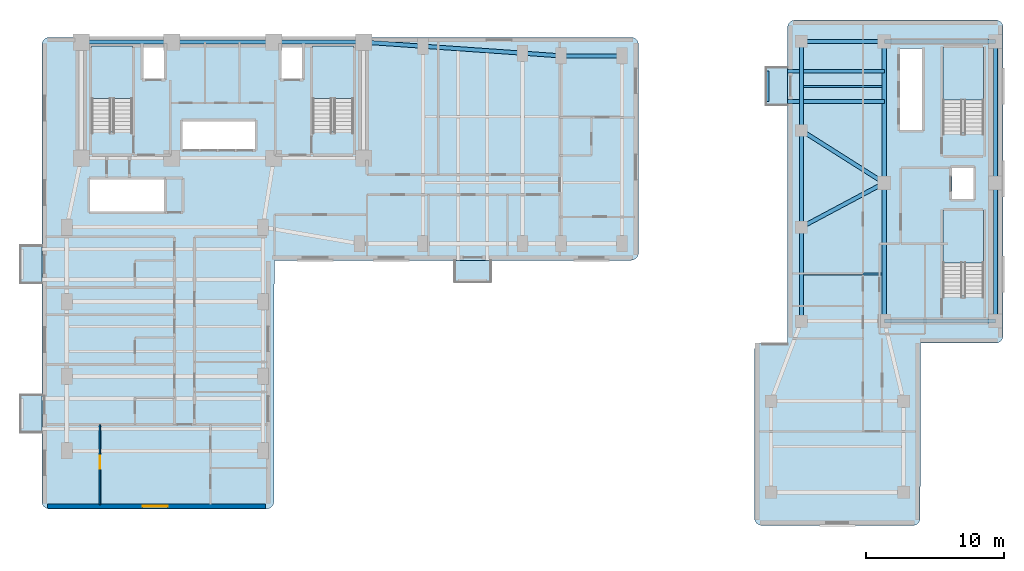
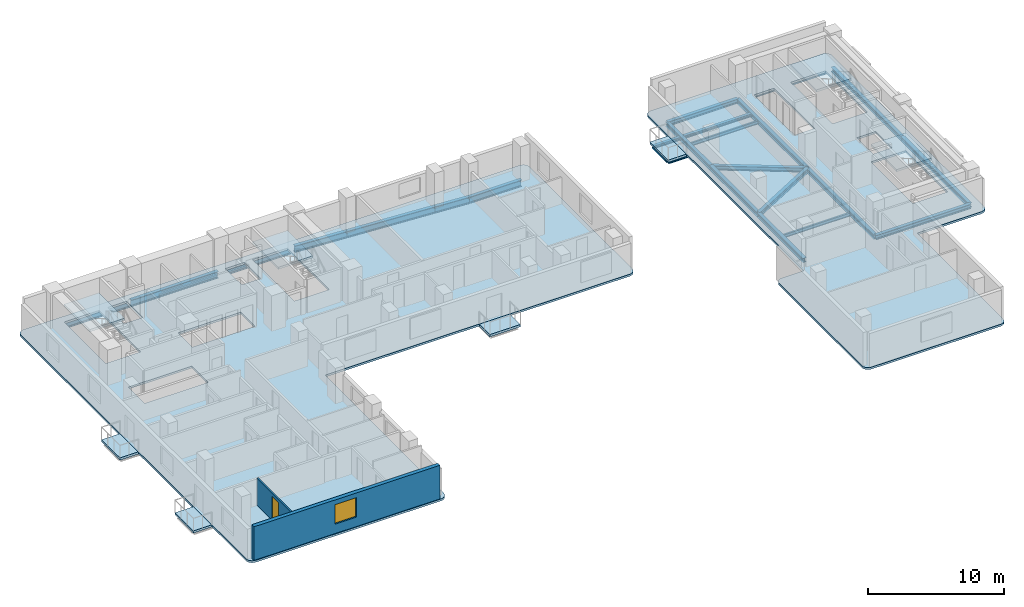
# One storey, part 2 of 11: 24 beams, 10 slabs, 2 walls, 1 door, 1 window, 2 openings, 4 elements without a shape of their own.
"""IFC4 building model written with IfcOpenShell, lengths in metres."""

from ifc_helpers import new_model, si_unit, direction, frame, frame_2d, origin, origin_2d, place, context, subcontext, project, spatial, polyline, rectangle, i_section, outline, extrude, material, layer, layer_set, material_profile, profile_set, type_object, element, fill, aggregate, save


model = new_model("IFC4")

# Units and contexts
model_context = context("Model", 3, precision=1e-05, world=origin(), true_north=direction((0.0, 1.0)))
body_context = subcontext(model_context, "Body", "Model", "MODEL_VIEW")
ifc_project = project(units=[si_unit("LENGTHUNIT", "METRE"), si_unit("AREAUNIT", "SQUARE_METRE"), si_unit("VOLUMEUNIT", "CUBIC_METRE"), si_unit("PLANEANGLEUNIT", "RADIAN"), si_unit("MASSUNIT", "GRAM", prefix="KILO")], contexts=[model_context])

# Site, building, storey
site_placement = place(None, origin())
site = spatial("IfcSite", under=ifc_project, at=site_placement, CompositionType="ELEMENT")
building_placement = place(site_placement, origin())
building = spatial("IfcBuilding", under=site, at=building_placement, Name="Kuzgunbayir Cultural Tower", CompositionType="ELEMENT")
storey_placement = place(building_placement, frame((0.0, 0.0, 83.39990234375)))
storey = spatial("IfcBuildingStorey", under=building, at=storey_placement, Name="L23", CompositionType="ELEMENT", Elevation=83.39990234375)

# Beams
ifc_material_1 = material(Name="Steel S355J2", Category="steel")
ifc_material_profile_1 = material_profile(ifc_material_1, i_section(OverallWidth=0.260009765625, OverallDepth=0.260009765625, WebThickness=0.010009765625, FlangeThickness=0.017578125, FilletRadius=0.02392578125, at=origin_2d()), Name="HEB 260")
ifc_profile_set_1 = profile_set([ifc_material_profile_1], Name="Steel S355J2")
beam_type_1 = type_object("IfcBeamType", Name="BM-BAL-HEB260", PredefinedType="BEAM", material=ifc_profile_set_1)
for number, where, z_axis, x_axis, name in (
    (1, (56.159912109375, 37.89990234375, -0.329833984375), (1.0, 0.0, 0.0), (0.0, 1.0, 0.0), "L23 Companion Balcony Outrigger BAL-L23-T2W3.1"),
    (2, (56.159912109375, 40.10009765625, -0.329833984375), (1.0, 0.0, 0.0), (0.0, 1.0, 0.0), "L23 Companion Balcony Outrigger BAL-L23-T2W3.2"),
):
    element("IfcBeam", number, at=place(storey_placement, frame(where, z_axis=z_axis, x_axis=x_axis)), inside=storey, type_object=beam_type_1, Name=name, PredefinedType="BEAM", context=body_context, shape_type="SweptSolid", body=[
        extrude(i_section(OverallWidth=0.260009765625, OverallDepth=0.260009765625, WebThickness=0.010009765625, FlangeThickness=0.017578125, FilletRadius=0.02392578125, at=origin_2d()), origin(), (0.0, 0.0, 1.0), 8.440185546875),
    ])
ifc_material_profile_2 = material_profile(ifc_material_1, i_section(OverallWidth=0.199951171875, OverallDepth=0.199951171875, WebThickness=0.009033203125, FlangeThickness=0.014892578125, FilletRadius=0.01806640625, at=origin_2d()), Name="HEB 200")
ifc_profile_set_2 = profile_set([ifc_material_profile_2], Name="Steel S355J2")
beam_type_2 = type_object("IfcBeamType", Name="BM-CAN-HEB200", PredefinedType="BEAM", material=ifc_profile_set_2)
beam_1_placement = place(storey_placement, frame((56.159912109375, 37.89990234375, -0.2998046875), z_axis=(0.0, 1.0, 0.0), x_axis=(-1.0, 0.0, 0.0)))
element("IfcBeam", 3, at=beam_1_placement, inside=storey, type_object=beam_type_2, Name="L23 Companion Balcony Header BAL-L23-T2W3", PredefinedType="BEAM", context=body_context, shape_type="SweptSolid", body=[
    extrude(i_section(OverallWidth=0.199951171875, OverallDepth=0.199951171875, WebThickness=0.009033203125, FlangeThickness=0.014892578125, FilletRadius=0.01806640625, at=origin_2d()), origin(), (0.0, 0.0, 1.0), 2.2001953125),
])
ifc_material_profile_3 = material_profile(ifc_material_1, i_section(OverallWidth=0.300048828125, OverallDepth=0.39990234375, WebThickness=0.013427734375, FlangeThickness=0.02392578125, FilletRadius=0.027099609375, at=origin_2d()), Name="HEB 400")
ifc_profile_set_3 = profile_set([ifc_material_profile_3], Name="Steel S355J2")
beam_type_3 = type_object("IfcBeamType", Name="BM-EXT-HEB400", PredefinedType="BEAM", material=ifc_profile_set_3)
beam_2_placement = place(storey_placement, frame((58.60009765625, 22.0, -0.3798828125), z_axis=(0.0, 1.0, 0.0), x_axis=(-1.0, 0.0, 0.0)))
element("IfcBeam", 4, at=beam_2_placement, inside=storey, type_object=beam_type_3, Name="L23 Companion West Girder", PredefinedType="BEAM", context=body_context, shape_type="SweptSolid", body=[
    extrude(i_section(OverallWidth=0.300048828125, OverallDepth=0.39990234375, WebThickness=0.013427734375, FlangeThickness=0.02392578125, FilletRadius=0.027099609375, at=origin_2d()), origin(), (0.0, 0.0, 1.0), 6.800048828125),
])
beam_3_placement = place(storey_placement, frame((58.60009765625, 28.800048828125, -0.3798828125), z_axis=(0.0, 1.0, 0.0), x_axis=(-1.0, 0.0, 0.0)))
element("IfcBeam", 5, at=beam_3_placement, inside=storey, type_object=beam_type_3, Name="L23 Companion West Girder", PredefinedType="BEAM", context=body_context, shape_type="SweptSolid", body=[
    extrude(i_section(OverallWidth=0.300048828125, OverallDepth=0.39990234375, WebThickness=0.013427734375, FlangeThickness=0.02392578125, FilletRadius=0.027099609375, at=origin_2d()), origin(), (0.0, 0.0, 1.0), 7.0),
])
beam_4_placement = place(storey_placement, frame((58.60009765625, 35.800048828125, -0.3798828125), z_axis=(0.0, 1.0, 0.0), x_axis=(-1.0, 0.0, 0.0)))
element("IfcBeam", 6, at=beam_4_placement, inside=storey, type_object=beam_type_3, Name="L23 Companion West Girder", PredefinedType="BEAM", context=body_context, shape_type="SweptSolid", body=[
    extrude(i_section(OverallWidth=0.300048828125, OverallDepth=0.39990234375, WebThickness=0.013427734375, FlangeThickness=0.02392578125, FilletRadius=0.027099609375, at=origin_2d()), origin(), (0.0, 0.0, 1.0), 6.449951171875),
])
ifc_material_profile_4 = material_profile(ifc_material_1, i_section(OverallWidth=0.300048828125, OverallDepth=0.60009765625, WebThickness=0.015380859375, FlangeThickness=0.030029296875, FilletRadius=0.027099609375, at=origin_2d()), Name="HEB 600")
ifc_profile_set_4 = profile_set([ifc_material_profile_4], Name="Steel S355J2")
beam_type_4 = type_object("IfcBeamType", Name="BM-EXT-HEB600", PredefinedType="BEAM", material=ifc_profile_set_4)
beam_5_placement = place(storey_placement, frame((26.89990234375, 42.199951171875, -0.47998046875), z_axis=(0.997574369175, -0.069608749203, 0.0), x_axis=(0.069608749203, 0.997574369175, 0.0)))
element("IfcBeam", 7, at=beam_5_placement, inside=storey, type_object=beam_type_4, Name="L23 Wing B North Girder 1", PredefinedType="BEAM", context=body_context, shape_type="SweptSolid", body=[
    extrude(i_section(OverallWidth=0.300048828125, OverallDepth=0.60009765625, WebThickness=0.015380859375, FlangeThickness=0.030029296875, FilletRadius=0.027099609375, at=origin_2d()), origin(), (0.0, 0.0, 1.0), 4.310546875),
])
beam_6_placement = place(storey_placement, frame((31.199951171875, 41.89990234375, -0.47998046875), z_axis=(0.997597388498, -0.069278066245, 0.0), x_axis=(0.069278066245, 0.997597388498, 0.0)))
element("IfcBeam", 8, at=beam_6_placement, inside=storey, type_object=beam_type_4, Name="L23 Wing B North Girder 2", PredefinedType="BEAM", context=body_context, shape_type="SweptSolid", body=[
    extrude(i_section(OverallWidth=0.300048828125, OverallDepth=0.60009765625, WebThickness=0.015380859375, FlangeThickness=0.030029296875, FilletRadius=0.027099609375, at=origin_2d()), origin(), (0.0, 0.0, 1.0), 7.21728515625),
])
beam_7_placement = place(storey_placement, frame((38.39990234375, 41.39990234375, -0.47998046875), z_axis=(0.997460024076, -0.071228508128, 0.0), x_axis=(0.071228508128, 0.997460024076, 0.0)))
element("IfcBeam", 9, at=beam_7_placement, inside=storey, type_object=beam_type_4, Name="L23 Wing B North Girder 3", PredefinedType="BEAM", context=body_context, shape_type="SweptSolid", body=[
    extrude(i_section(OverallWidth=0.300048828125, OverallDepth=0.60009765625, WebThickness=0.015380859375, FlangeThickness=0.030029296875, FilletRadius=0.027099609375, at=origin_2d()), origin(), (0.0, 0.0, 1.0), 2.80712890625),
])
beam_8_placement = place(storey_placement, frame((41.199951171875, 41.199951171875, -0.47998046875), z_axis=(1.0, 0.0, 0.0), x_axis=(0.0, 1.0, 0.0)))
element("IfcBeam", 10, at=beam_8_placement, inside=storey, type_object=beam_type_4, Name="L23 Wing B North Girder 4", PredefinedType="BEAM", context=body_context, shape_type="SweptSolid", body=[
    extrude(i_section(OverallWidth=0.300048828125, OverallDepth=0.60009765625, WebThickness=0.015380859375, FlangeThickness=0.030029296875, FilletRadius=0.027099609375, at=origin_2d()), origin(), (0.0, 0.0, 1.0), 4.400146484375),
])
ifc_material_profile_5 = material_profile(ifc_material_1, i_section(OverallWidth=0.300048828125, OverallDepth=0.39990234375, WebThickness=0.013427734375, FlangeThickness=0.02392578125, FilletRadius=0.027099609375, at=origin_2d()), Name="HEB 400")
ifc_profile_set_5 = profile_set([ifc_material_profile_5], Name="Steel S355J2")
beam_type_5 = type_object("IfcBeamType", Name="BM-GIR-HEB400", PredefinedType="BEAM", material=ifc_profile_set_5)
beam_9_placement = place(storey_placement, frame((58.60009765625, 28.800048828125, -0.3798828125), z_axis=(0.882355922736, 0.470582644828, 0.0), x_axis=(-0.470582644828, 0.882355922736, 0.0)))
element("IfcBeam", 11, at=beam_9_placement, inside=storey, type_object=beam_type_5, Name="L23 Companion Transverse Girder 2", PredefinedType="BEAM", context=body_context, shape_type="SweptSolid", body=[
    extrude(i_section(OverallWidth=0.300048828125, OverallDepth=0.39990234375, WebThickness=0.013427734375, FlangeThickness=0.02392578125, FilletRadius=0.027099609375, at=origin_2d()), origin(), (0.0, 0.0, 1.0), 6.800048828125),
])
beam_10_placement = place(storey_placement, frame((58.60009765625, 35.800048828125, -0.3798828125), z_axis=(0.844815967829, -0.535056988088, 0.0), x_axis=(0.535056988088, 0.844815967829, 0.0)))
element("IfcBeam", 12, at=beam_10_placement, inside=storey, type_object=beam_type_5, Name="L23 Companion Transverse Girder 3", PredefinedType="BEAM", context=body_context, shape_type="SweptSolid", body=[
    extrude(i_section(OverallWidth=0.300048828125, OverallDepth=0.39990234375, WebThickness=0.013427734375, FlangeThickness=0.02392578125, FilletRadius=0.027099609375, at=origin_2d()), origin(), (0.0, 0.0, 1.0), 7.10205078125),
])
beam_11_placement = place(storey_placement, frame((58.60009765625, 42.25, -0.3798828125), z_axis=(1.0, 0.0, 0.0), x_axis=(0.0, 1.0, 0.0)))
element("IfcBeam", 13, at=beam_11_placement, inside=storey, type_object=beam_type_5, Name="L23 Companion Transverse Girder 4", PredefinedType="BEAM", context=body_context, shape_type="SweptSolid", body=[
    extrude(i_section(OverallWidth=0.300048828125, OverallDepth=0.39990234375, WebThickness=0.013427734375, FlangeThickness=0.02392578125, FilletRadius=0.027099609375, at=origin_2d()), origin(), (0.0, 0.0, 1.0), 6.0),
])
beam_12_placement = place(storey_placement, frame((64.60009765625, 22.0, -0.3798828125), z_axis=(0.0, 1.0, 0.0), x_axis=(-1.0, 0.0, 0.0)))
element("IfcBeam", 14, at=beam_12_placement, inside=storey, type_object=beam_type_5, Name="L23 Companion Core West Girder 1", PredefinedType="BEAM", context=body_context, shape_type="SweptSolid", body=[
    extrude(i_section(OverallWidth=0.300048828125, OverallDepth=0.39990234375, WebThickness=0.013427734375, FlangeThickness=0.02392578125, FilletRadius=0.027099609375, at=origin_2d()), origin(), (0.0, 0.0, 1.0), 10.0),
])
beam_13_placement = place(storey_placement, frame((64.60009765625, 32.0, -0.3798828125), z_axis=(0.0, 1.0, 0.0), x_axis=(-1.0, 0.0, 0.0)))
element("IfcBeam", 15, at=beam_13_placement, inside=storey, type_object=beam_type_5, Name="L23 Companion Core West Girder 2", PredefinedType="BEAM", context=body_context, shape_type="SweptSolid", body=[
    extrude(i_section(OverallWidth=0.300048828125, OverallDepth=0.39990234375, WebThickness=0.013427734375, FlangeThickness=0.02392578125, FilletRadius=0.027099609375, at=origin_2d()), origin(), (0.0, 0.0, 1.0), 10.25),
])
beam_14_placement = place(storey_placement, frame((72.64990234375, 22.0, -0.3798828125), z_axis=(0.0, 1.0, 0.0), x_axis=(-1.0, 0.0, 0.0)))
element("IfcBeam", 16, at=beam_14_placement, inside=storey, type_object=beam_type_5, Name="L23 Companion Core East Girder 1", PredefinedType="BEAM", context=body_context, shape_type="SweptSolid", body=[
    extrude(i_section(OverallWidth=0.300048828125, OverallDepth=0.39990234375, WebThickness=0.013427734375, FlangeThickness=0.02392578125, FilletRadius=0.027099609375, at=origin_2d()), origin(), (0.0, 0.0, 1.0), 10.0),
])
beam_15_placement = place(storey_placement, frame((72.64990234375, 32.0, -0.3798828125), z_axis=(0.0, 1.0, 0.0), x_axis=(-1.0, 0.0, 0.0)))
element("IfcBeam", 17, at=beam_15_placement, inside=storey, type_object=beam_type_5, Name="L23 Companion Core East Girder 2", PredefinedType="BEAM", context=body_context, shape_type="SweptSolid", body=[
    extrude(i_section(OverallWidth=0.300048828125, OverallDepth=0.39990234375, WebThickness=0.013427734375, FlangeThickness=0.02392578125, FilletRadius=0.027099609375, at=origin_2d()), origin(), (0.0, 0.0, 1.0), 10.25),
])
for number, where, z_axis, x_axis, name in (
    (18, (64.60009765625, 22.0, -0.3798828125), (1.0, 0.0, 0.0), (0.0, 1.0, 0.0), "L23 Companion Core South Girder"),
    (19, (64.60009765625, 42.25, -0.3798828125), (1.0, 0.0, 0.0), (0.0, 1.0, 0.0), "L23 Companion Core North Girder"),
):
    element("IfcBeam", number, at=place(storey_placement, frame(where, z_axis=z_axis, x_axis=x_axis)), inside=storey, type_object=beam_type_5, Name=name, PredefinedType="BEAM", context=body_context, shape_type="SweptSolid", body=[
        extrude(i_section(OverallWidth=0.300048828125, OverallDepth=0.39990234375, WebThickness=0.013427734375, FlangeThickness=0.02392578125, FilletRadius=0.027099609375, at=origin_2d()), origin(), (0.0, 0.0, 1.0), 8.0498046875),
    ])
ifc_material_profile_6 = material_profile(ifc_material_1, i_section(OverallWidth=0.300048828125, OverallDepth=0.60009765625, WebThickness=0.015380859375, FlangeThickness=0.030029296875, FilletRadius=0.027099609375, at=origin_2d()), Name="HEB 600")
ifc_profile_set_6 = profile_set([ifc_material_profile_6], Name="Steel S355J2")
beam_type_6 = type_object("IfcBeamType", Name="BM-GIR-HEB600", PredefinedType="BEAM", material=ifc_profile_set_6)
beam_16_placement = place(storey_placement, frame((6.449951171875, 42.199951171875, -0.47998046875), z_axis=(1.0, 0.0, 0.0), x_axis=(0.0, 1.0, 0.0)))
element("IfcBeam", 20, at=beam_16_placement, inside=storey, type_object=beam_type_6, Name="L23 Core North Girder 1", PredefinedType="BEAM", context=body_context, shape_type="SweptSolid", body=[
    extrude(i_section(OverallWidth=0.300048828125, OverallDepth=0.60009765625, WebThickness=0.015380859375, FlangeThickness=0.030029296875, FilletRadius=0.027099609375, at=origin_2d()), origin(), (0.0, 0.0, 1.0), 6.550048828125),
])
beam_17_placement = place(storey_placement, frame((13.0, 42.199951171875, -0.47998046875), z_axis=(1.0, 0.0, 0.0), x_axis=(0.0, 1.0, 0.0)))
element("IfcBeam", 21, at=beam_17_placement, inside=storey, type_object=beam_type_6, Name="L23 Core North Girder 2", PredefinedType="BEAM", context=body_context, shape_type="SweptSolid", body=[
    extrude(i_section(OverallWidth=0.300048828125, OverallDepth=0.60009765625, WebThickness=0.015380859375, FlangeThickness=0.030029296875, FilletRadius=0.027099609375, at=origin_2d()), origin(), (0.0, 0.0, 1.0), 7.39990234375),
])
beam_18_placement = place(storey_placement, frame((20.39990234375, 42.199951171875, -0.47998046875), z_axis=(1.0, 0.0, 0.0), x_axis=(0.0, 1.0, 0.0)))
element("IfcBeam", 22, at=beam_18_placement, inside=storey, type_object=beam_type_6, Name="L23 Core North Girder 3", PredefinedType="BEAM", context=body_context, shape_type="SweptSolid", body=[
    extrude(i_section(OverallWidth=0.300048828125, OverallDepth=0.60009765625, WebThickness=0.015380859375, FlangeThickness=0.030029296875, FilletRadius=0.027099609375, at=origin_2d()), origin(), (0.0, 0.0, 1.0), 6.5),
])
ifc_material_profile_7 = material_profile(ifc_material_1, i_section(OverallWidth=0.14990234375, OverallDepth=0.300048828125, WebThickness=0.007080078125, FlangeThickness=0.0107421875, FilletRadius=0.014892578125, at=origin_2d()), Name="IPE 300")
ifc_profile_set_7 = profile_set([ifc_material_profile_7], Name="Steel S355J2")
beam_type_7 = type_object("IfcBeamType", Name="BM-JST-IPE300", PredefinedType="JOIST", material=ifc_profile_set_7)
for number, where, z_axis, x_axis, name in (
    (23, (58.75, 25.39990234375, -0.329833984375), (1.0, 0.0, 0.0), (0.0, 1.0, 0.0), "L23 Companion Joist"),
    (24, (58.75, 39.0, -0.329833984375), (1.0, 0.0, 0.0), (0.0, 1.0, 0.0), "L23 Companion Joist"),
):
    element("IfcBeam", number, at=place(storey_placement, frame(where, z_axis=z_axis, x_axis=x_axis)), inside=storey, type_object=beam_type_7, Name=name, PredefinedType="JOIST", context=body_context, shape_type="SweptSolid", body=[
        extrude(i_section(OverallWidth=0.14990234375, OverallDepth=0.300048828125, WebThickness=0.007080078125, FlangeThickness=0.0107421875, FilletRadius=0.014892578125, at=origin_2d()), origin(), (0.0, 0.0, 1.0), 5.699951171875),
    ])

# Slabs
ifc_material_2 = material(Name="Concrete C40/50", Category="concrete")
ifc_layer_1 = layer(ifc_material_2, 0.199951171875)
ifc_layer_set_1 = layer_set([ifc_layer_1], Name="Concrete C40/50")
slab_type_1 = type_object("IfcSlabType", Name="SLB-BAL-STONE", PredefinedType="FLOOR", material=ifc_layer_set_1)
slab_1_placement = place(storey_placement, frame((0.0, 0.0, -0.199951171875)))
element("IfcSlab", 25, at=slab_1_placement, inside=storey, type_object=slab_type_1, Name="L23 Projecting Limestone Balcony BAL-L23-WA1", PredefinedType="FLOOR", context=body_context, shape_type="SweptSolid", body=[
    extrude(outline(polyline([(2.0400390625, 13.949951171875), (3.60009765625, 13.949951171875), (3.60009765625, 16.64990234375), (2.0400390625, 16.64990234375), (2.0400390625, 13.949951171875)])), origin(), (0.0, 0.0, 1.0), 0.199951171875),
])
slab_2_placement = place(storey_placement, frame((0.0, 0.0, -0.199951171875)))
element("IfcSlab", 26, at=slab_2_placement, inside=storey, type_object=slab_type_1, Name="L23 Projecting Limestone Balcony BAL-L23-WA3", PredefinedType="FLOOR", context=body_context, shape_type="SweptSolid", body=[
    extrude(outline(polyline([(2.0400390625, 24.75), (3.60009765625, 24.75), (3.60009765625, 27.449951171875), (2.0400390625, 27.449951171875), (2.0400390625, 24.75)])), origin(), (0.0, 0.0, 1.0), 0.199951171875),
])
slab_3_placement = place(storey_placement, frame((0.0, 0.0, -0.199951171875)))
element("IfcSlab", 27, at=slab_3_placement, inside=storey, type_object=slab_type_1, Name="L23 Projecting Limestone Balcony BAL-L23-WB2", PredefinedType="FLOOR", context=body_context, shape_type="SweptSolid", body=[
    extrude(outline(polyline([(33.5, 24.840087890625), (36.10009765625, 24.840087890625), (36.10009765625, 26.39990234375), (33.5, 26.39990234375), (33.5, 24.840087890625)])), origin(), (0.0, 0.0, 1.0), 0.199951171875),
])
slab_4_placement = place(storey_placement, frame((0.0, 0.0, -0.199951171875)))
element("IfcSlab", 28, at=slab_4_placement, inside=storey, type_object=slab_type_1, Name="L23 Projecting Limestone Balcony BAL-L23-T2W3", PredefinedType="FLOOR", context=body_context, shape_type="SweptSolid", body=[
    extrude(outline(polyline([(56.0400390625, 37.64990234375), (57.60009765625, 37.64990234375), (57.60009765625, 40.35009765625), (56.0400390625, 40.35009765625), (56.0400390625, 37.64990234375)])), origin(), (0.0, 0.0, 1.0), 0.199951171875),
])

# Stair, slab
stair_type = type_object("IfcStairType", Name="STR-EXIT-CORE", PredefinedType="HALF_TURN_STAIR", material=ifc_material_2)
stair_1_placement = place(storey_placement, origin())
stair_1 = element("IfcStair", 29, at=stair_1_placement, inside=storey, type_object=stair_type, Name="L23 ST-1", PredefinedType="HALF_TURN_STAIR")
ifc_layer_2 = layer(ifc_material_2, 0.179931640625)
ifc_layer_set_2 = layer_set([ifc_layer_2], Name="Concrete C40/50")
slab_type_2 = type_object("IfcSlabType", Name="SLB-LANDING-180", PredefinedType="LANDING", material=ifc_layer_set_2)
slab_5_placement = place(storey_placement, frame((0.0, 0.0, 1.400146484375)))
slab_5 = element("IfcSlab", 30, at=slab_5_placement, type_object=slab_type_2, Name="ST-1 landing 1", PredefinedType="LANDING", context=body_context, shape_type="SweptSolid", body=[
    extrude(outline(polyline([(10.159912109375, 38.1201171875), (10.159912109375, 41.89990234375), (7.199951171875, 41.89990234375), (7.199951171875, 38.1201171875), (10.159912109375, 38.1201171875)])), origin(), (0.0, 0.0, 1.0), 0.199951171875),
])
aggregate(stair_1, [slab_5])

stair_2_placement = place(storey_placement, origin())
stair_2 = element("IfcStair", 31, at=stair_2_placement, inside=storey, type_object=stair_type, Name="L23 ST-2", PredefinedType="HALF_TURN_STAIR")
slab_6_placement = place(storey_placement, frame((0.0, 0.0, 1.400146484375)))
slab_6 = element("IfcSlab", 32, at=slab_6_placement, type_object=slab_type_2, Name="ST-2 landing 1", PredefinedType="LANDING", context=body_context, shape_type="SweptSolid", body=[
    extrude(outline(polyline([(26.159912109375, 38.1201171875), (26.159912109375, 41.89990234375), (23.199951171875, 41.89990234375), (23.199951171875, 38.1201171875), (26.159912109375, 38.1201171875)])), origin(), (0.0, 0.0, 1.0), 0.199951171875),
])
aggregate(stair_2, [slab_6])

stair_3_placement = place(storey_placement, origin())
stair_3 = element("IfcStair", 33, at=stair_3_placement, inside=storey, type_object=stair_type, Name="L23 ST-3", PredefinedType="HALF_TURN_STAIR")
slab_7_placement = place(storey_placement, frame((0.0, 0.0, 1.400146484375)))
slab_7 = element("IfcSlab", 34, at=slab_7_placement, type_object=slab_type_2, Name="ST-3 landing 1", PredefinedType="LANDING", context=body_context, shape_type="SweptSolid", body=[
    extrude(outline(polyline([(71.800048828125, 26.219970703125), (71.800048828125, 30.0), (68.840087890625, 30.0), (68.840087890625, 26.219970703125), (71.800048828125, 26.219970703125)])), origin(), (0.0, 0.0, 1.0), 0.199951171875),
])
aggregate(stair_3, [slab_7])

stair_4_placement = place(storey_placement, origin())
stair_4 = element("IfcStair", 35, at=stair_4_placement, inside=storey, type_object=stair_type, Name="L23 ST-4", PredefinedType="HALF_TURN_STAIR")
slab_8_placement = place(storey_placement, frame((0.0, 0.0, 1.400146484375)))
slab_8 = element("IfcSlab", 36, at=slab_8_placement, type_object=slab_type_2, Name="ST-4 landing 1", PredefinedType="LANDING", context=body_context, shape_type="SweptSolid", body=[
    extrude(outline(polyline([(71.800048828125, 38.02001953125), (71.800048828125, 41.800048828125), (68.840087890625, 41.800048828125), (68.840087890625, 38.02001953125), (71.800048828125, 38.02001953125)])), origin(), (0.0, 0.0, 1.0), 0.199951171875),
])
aggregate(stair_4, [slab_8])

# Slabs
ifc_layer_3 = layer(ifc_material_2, 0.179931640625)
ifc_layer_set_3 = layer_set([ifc_layer_3], Name="Concrete C40/50")
slab_type_3 = type_object("IfcSlabType", Name="SLB-TYP-180", PredefinedType="FLOOR", material=ifc_layer_set_3)
slab_9_placement = place(storey_placement, frame((0.0, 0.0, -0.179931640625)))
element("IfcSlab", 37, at=slab_9_placement, inside=storey, type_object=slab_type_3, Name="L23 Tower 1 Floor Slab T1-MAIN", PredefinedType="FLOOR", context=body_context, shape_type="SweptSolid", body=[
    extrude(outline(polyline([(20.39990234375, 8.949951171875), (20.389892578125, 8.840087890625), (20.360107421875, 8.739990234375), (20.31005859375, 8.639892578125), (20.239990234375, 8.56005859375), (20.159912109375, 8.489990234375), (20.06005859375, 8.43994140625), (19.9599609375, 8.409912109375), (19.85009765625, 8.39990234375), (4.14990234375, 8.39990234375), (4.0400390625, 8.409912109375), (3.93994140625, 8.43994140625), (3.840087890625, 8.489990234375), (3.760009765625, 8.56005859375), (3.68994140625, 8.639892578125), (3.639892578125, 8.739990234375), (3.610107421875, 8.840087890625), (3.60009765625, 8.949951171875), (3.60009765625, 42.0), (3.610107421875, 42.110107421875), (3.639892578125, 42.2099609375), (3.68994140625, 42.31005859375), (3.760009765625, 42.389892578125), (3.840087890625, 42.4599609375), (3.93994140625, 42.510009765625), (4.0400390625, 42.5400390625), (4.14990234375, 42.550048828125), (46.25, 42.550048828125), (46.360107421875, 42.5400390625), (46.4599609375, 42.510009765625), (46.56005859375, 42.4599609375), (46.639892578125, 42.389892578125), (46.7099609375, 42.31005859375), (46.760009765625, 42.2099609375), (46.7900390625, 42.110107421875), (46.800048828125, 42.0), (46.800048828125, 26.949951171875), (46.7900390625, 26.840087890625), (46.760009765625, 26.739990234375), (46.7099609375, 26.639892578125), (46.639892578125, 26.56005859375), (46.56005859375, 26.489990234375), (46.4599609375, 26.43994140625), (46.360107421875, 26.409912109375), (46.25, 26.39990234375), (20.429931640625, 26.39990234375), (20.39990234375, 8.949951171875)]), holes=[polyline([(7.199951171875, 35.760009765625), (7.199951171875, 41.89990234375), (10.159912109375, 41.89990234375), (10.159912109375, 35.760009765625), (7.199951171875, 35.760009765625)]), polyline([(23.199951171875, 35.760009765625), (23.199951171875, 41.89990234375), (26.159912109375, 41.89990234375), (26.159912109375, 35.760009765625), (23.199951171875, 35.760009765625)]), polyline([(13.75, 34.39990234375), (13.75, 36.5), (19.080078125, 36.5), (19.080078125, 34.39990234375), (13.75, 34.39990234375)]), polyline([(7.10009765625, 29.89990234375), (7.10009765625, 32.300048828125), (12.5, 32.300048828125), (12.5, 29.89990234375), (7.10009765625, 29.89990234375)]), polyline([(10.89990234375, 39.5), (10.89990234375, 41.89990234375), (12.5, 41.89990234375), (12.5, 39.5), (10.89990234375, 39.5)]), polyline([(20.89990234375, 39.5), (20.89990234375, 41.89990234375), (22.5, 41.89990234375), (22.5, 39.5), (20.89990234375, 39.5)])]), origin(), (0.0, 0.0, 1.0), 0.179931640625),
])
slab_10_placement = place(storey_placement, frame((0.0, 0.0, -0.179931640625)))
element("IfcSlab", 38, at=slab_10_placement, inside=storey, type_object=slab_type_3, Name="L23 Companion Tower 2 Floor Slab", PredefinedType="FLOOR", context=body_context, shape_type="SweptSolid", body=[
    extrude(outline(polyline([(57.60009765625, 20.39990234375), (57.60009765625, 43.25), (57.610107421875, 43.360107421875), (57.639892578125, 43.4599609375), (57.68994140625, 43.56005859375), (57.760009765625, 43.639892578125), (57.840087890625, 43.7099609375), (57.93994140625, 43.760009765625), (58.0400390625, 43.7900390625), (58.14990234375, 43.800048828125), (72.64990234375, 43.800048828125), (72.760009765625, 43.7900390625), (72.860107421875, 43.760009765625), (72.9599609375, 43.7099609375), (73.0400390625, 43.639892578125), (73.110107421875, 43.56005859375), (73.159912109375, 43.4599609375), (73.18994140625, 43.360107421875), (73.199951171875, 43.25), (73.199951171875, 20.949951171875), (73.18994140625, 20.840087890625), (73.159912109375, 20.739990234375), (73.110107421875, 20.639892578125), (73.0400390625, 20.56005859375), (72.9599609375, 20.489990234375), (72.860107421875, 20.43994140625), (72.760009765625, 20.409912109375), (72.64990234375, 20.39990234375), (67.22998046875, 20.39990234375), (67.199951171875, 7.75), (67.18994140625, 7.639892578125), (67.159912109375, 7.5400390625), (67.110107421875, 7.43994140625), (67.0400390625, 7.360107421875), (66.9599609375, 7.2900390625), (66.860107421875, 7.239990234375), (66.760009765625, 7.2099609375), (66.64990234375, 7.199951171875), (55.75, 7.199951171875), (55.639892578125, 7.2099609375), (55.5400390625, 7.239990234375), (55.43994140625, 7.2900390625), (55.360107421875, 7.360107421875), (55.2900390625, 7.43994140625), (55.239990234375, 7.5400390625), (55.2099609375, 7.639892578125), (55.199951171875, 7.75), (55.199951171875, 19.85009765625), (55.2099609375, 19.9599609375), (55.239990234375, 20.06005859375), (55.2900390625, 20.159912109375), (55.360107421875, 20.239990234375), (55.43994140625, 20.31005859375), (55.5400390625, 20.360107421875), (55.639892578125, 20.389892578125), (55.75, 20.39990234375), (57.570068359375, 20.39990234375), (57.60009765625, 20.39990234375)]), holes=[polyline([(68.840087890625, 23.860107421875), (68.840087890625, 30.0), (71.800048828125, 30.0), (71.800048828125, 23.860107421875), (68.840087890625, 23.860107421875)]), polyline([(68.840087890625, 35.659912109375), (68.840087890625, 41.800048828125), (71.800048828125, 41.800048828125), (71.800048828125, 35.659912109375), (68.840087890625, 35.659912109375)]), polyline([(65.699951171875, 35.800048828125), (65.699951171875, 41.75), (67.39990234375, 41.75), (67.39990234375, 35.800048828125), (65.699951171875, 35.800048828125)]), polyline([(69.5, 30.800048828125), (69.5, 33.199951171875), (71.10009765625, 33.199951171875), (71.10009765625, 30.800048828125), (69.5, 30.800048828125)])]), origin(), (0.0, 0.0, 1.0), 0.179931640625),
])

# Wall, opening, window
ifc_material_3 = material(Name="Travertine Buff Ashlar", Category="masonry")
ifc_layer_4 = layer(ifc_material_3, 0.320068359375)
ifc_layer_set_4 = layer_set([ifc_layer_4], Name="Travertine Buff Ashlar")
wall_type_1 = type_object("IfcWallType", Name="WAL-EXT-STONE-320", PredefinedType="STANDARD", material=ifc_layer_set_4)
wall_1_placement = place(storey_placement, frame((4.0, 8.60009765625, 0.0), z_axis=(0.0, 0.0, 1.0), x_axis=(1.0, 0.0, 0.0)))
wall_1 = element("IfcWall", 39, at=wall_1_placement, inside=storey, type_object=wall_type_1, Name="L23 Wing A South Limestone Wall", PredefinedType="STANDARD", context=body_context, shape_type="SweptSolid", body=[
    extrude(rectangle(XDim=15.800048828125, YDim=0.320068359375, at=frame_2d((7.89990234375, 0.0))), origin(), (0.0, 0.0, 1.0), 3.02001953125),
])
opening_1_placement = place(wall_1_placement, frame((6.89990234375, 0.0, 0.85009765625)))
opening_1 = element("IfcOpeningElement", 40, at=opening_1_placement, cuts=wall_1, Name="Opening WH-18", PredefinedType="OPENING", context=body_context, shape_type="SweptSolid", body=[
    extrude(rectangle(XDim=1.800048828125, YDim=1.75, at=frame_2d((0.89990234375, 0.875))), frame((0.0, 0.169921875, 0.0), z_axis=(0.0, -1.0, 0.0), x_axis=(1.0, 0.0, 0.0)), (0.0, 0.0, 1.0), 0.340087890625),
])
ifc_material_4 = material(Name="Solar-Control Triple Glazing", Category="glass")
window_type = type_object("IfcWindowType", Name="WIN-HOTEL-18", PartitioningType="SINGLE_PANEL", PredefinedType="WINDOW", material=ifc_material_4)
window_placement = place(opening_1_placement, origin())
window = element("IfcWindow", 41, at=window_placement, inside=storey, type_object=window_type, Name="L23 WAS Facade Window 3", OverallHeight=1.75, OverallWidth=1.800048828125, PartitioningType="SINGLE_PANEL", PredefinedType="WINDOW", context=body_context, shape_type="SweptSolid", body=[
    extrude(rectangle(XDim=1.800048828125, YDim=1.75, at=frame_2d((0.89990234375, 0.875))), frame((0.0, 0.030029296875, 0.0), z_axis=(0.0, -1.0, 0.0), x_axis=(1.0, 0.0, 0.0)), (0.0, 0.0, 1.0), 0.06005859375),
])
fill(opening_1, window)

# Wall, opening, door
ifc_material_5 = material(Name="Framed Gypsum Partition", Category="gypsum")
ifc_layer_5 = layer(ifc_material_5, 0.1201171875)
ifc_layer_set_5 = layer_set([ifc_layer_5], Name="Framed Gypsum Partition")
wall_type_2 = type_object("IfcWallType", Name="WAL-PART-INT-120", PredefinedType="PARTITIONING", material=ifc_layer_set_5)
wall_2_placement = place(storey_placement, frame((7.800048828125, 8.699951171875, 0.0), z_axis=(0.0, 0.0, 1.0), x_axis=(0.0, 1.0, 0.0)))
wall_2 = element("IfcWall", 42, at=wall_2_placement, inside=storey, type_object=wall_type_2, Name="L23 Diplomatic Suite Bedroom Wall", PredefinedType="PARTITIONING", context=body_context, shape_type="SweptSolid", body=[
    extrude(rectangle(XDim=5.800048828125, YDim=0.1201171875, at=frame_2d((2.89990234375, 0.0))), origin(), (0.0, 0.0, 1.0), 2.41015625),
])
opening_2_placement = place(wall_2_placement, frame((2.610107421875, 0.0, 0.0)))
opening_2 = element("IfcOpeningElement", 43, at=opening_2_placement, cuts=wall_2, Name="Opening DI-90", PredefinedType="OPENING", context=body_context, shape_type="SweptSolid", body=[
    extrude(rectangle(XDim=0.949951171875, YDim=2.14990234375, at=frame_2d((0.47509765625, 1.074951171875))), frame((0.0, 0.070068359375, 0.0), z_axis=(0.0, -1.0, 0.0), x_axis=(1.0, 0.0, 0.0)), (0.0, 0.0, 1.0), 0.14013671875),
])
ifc_material_6 = material(Name="Veneered Oak Single Leaf", Category="wood")
door_type = type_object("IfcDoorType", Name="DR-INT-90", OperationType="NOTDEFINED", PredefinedType="DOOR", material=ifc_material_6)
door_placement = place(opening_2_placement, origin())
door = element("IfcDoor", 44, at=door_placement, inside=storey, type_object=door_type, Name="L23 Diplomatic Bedroom Door", OperationType="SINGLE_SWING_LEFT", OverallHeight=2.14990234375, OverallWidth=0.949951171875, PredefinedType="DOOR", context=body_context, shape_type="SweptSolid", body=[
    extrude(rectangle(XDim=0.949951171875, YDim=2.14990234375, at=frame_2d((0.47509765625, 1.074951171875))), frame((0.0, 0.02490234375, 0.0), z_axis=(0.0, -1.0, 0.0), x_axis=(1.0, 0.0, 0.0)), (0.0, 0.0, 1.0), 0.050048828125),
])
fill(opening_2, door)

save(model, "model.ifc")
